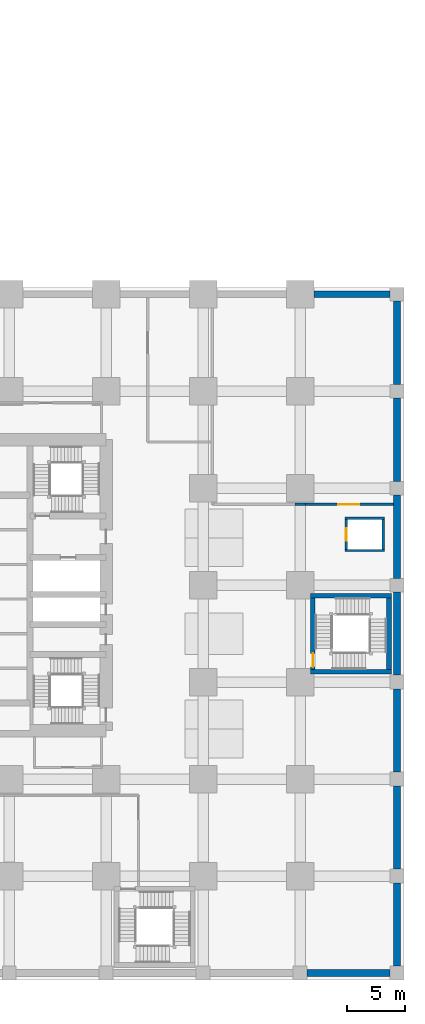
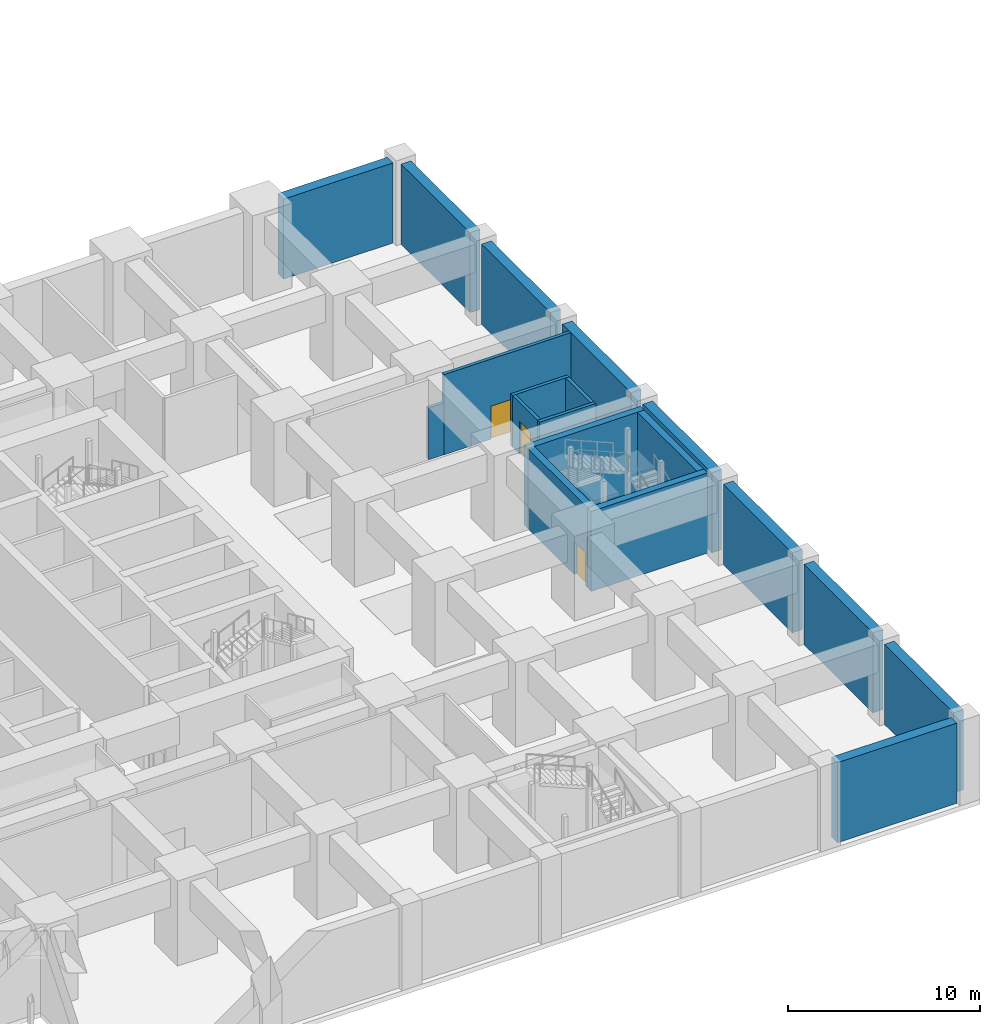
# One storey, part 9 of 20: 19 walls, 3 doors, 3 openings.
"""IFC4 building model written with IfcOpenShell, lengths in metres."""

from ifc_helpers import new_model, si_unit, direction, frame, frame_2d, origin, place, context, subcontext, project, spatial, rectangle, extrude, material, layer, layer_set, type_object, element, fill, save


model = new_model("IFC4")

# Units and contexts
model_context = context("Model", 3, precision=1e-05, world=origin(), true_north=direction((0.0, 1.0)))
body_context = subcontext(model_context, "Body", "Model", "MODEL_VIEW")
ifc_project = project(units=[si_unit("LENGTHUNIT", "METRE"), si_unit("AREAUNIT", "SQUARE_METRE"), si_unit("VOLUMEUNIT", "CUBIC_METRE"), si_unit("PLANEANGLEUNIT", "RADIAN"), si_unit("MASSUNIT", "GRAM", prefix="KILO")], contexts=[model_context])

# Site, building, storey
site_placement = place(None, origin())
site = spatial("IfcSite", under=ifc_project, at=site_placement, CompositionType="ELEMENT")
building_placement = place(site_placement, origin())
building = spatial("IfcBuilding", under=site, at=building_placement, Name="Rekha Terrace Tower", CompositionType="ELEMENT")
storey_placement = place(building_placement, frame((0.0, 0.0, -5.39990234375)))
storey = spatial("IfcBuildingStorey", under=building, at=storey_placement, Name="B-01", CompositionType="ELEMENT", Elevation=-5.39990234375)

# Walls
ifc_material_1 = material(Name="Concrete M40", Category="concrete")
ifc_layer_1 = layer(ifc_material_1, 0.60009765625)
ifc_layer_set_1 = layer_set([ifc_layer_1], Name="Concrete M40")
wall_type_1 = type_object("IfcWallType", Name="RW1 600 basement retaining wall", PredefinedType="SOLIDWALL", material=ifc_layer_set_1)
wall_1_placement = place(storey_placement, frame((67.800048828125, 0.0, 0.0), z_axis=(0.0, 0.0, 1.0), x_axis=(1.0, 0.0, 0.0)))
element("IfcWall", 1, at=wall_1_placement, inside=storey, type_object=wall_type_1, Name="Basement retaining wall RW1 9A-10A B-01", PredefinedType="SOLIDWALL", context=body_context, shape_type="SweptSolid", body=[
    extrude(rectangle(XDim=7.199951171875, YDim=0.60009765625, at=frame_2d((3.60009765625, 0.0))), origin(), (0.0, 0.0, 1.0), 5.099853515625),
])
wall_2_placement = place(storey_placement, frame((68.39990234375, 58.800048828125, 0.0), z_axis=(0.0, 0.0, 1.0), x_axis=(1.0, 0.0, 0.0)))
element("IfcWall", 2, at=wall_2_placement, inside=storey, type_object=wall_type_1, Name="Basement retaining wall RW1 9H-10H B-01", PredefinedType="SOLIDWALL", context=body_context, shape_type="SweptSolid", body=[
    extrude(rectangle(XDim=6.60009765625, YDim=0.60009765625, at=frame_2d((3.300048828125, 0.0))), origin(), (0.0, 0.0, 1.0), 5.099853515625),
])
for number, where, z_axis, x_axis, name in (
    (3, (75.60009765625, 0.60009765625, 0.0), (0.0, 0.0, 1.0), (0.0, 1.0, 0.0), "Basement retaining wall RW1 10A-10B B-01"),
    (4, (75.60009765625, 9.0, 0.0), (0.0, 0.0, 1.0), (0.0, 1.0, 0.0), "Basement retaining wall RW1 10B-10C B-01"),
):
    element("IfcWall", number, at=place(storey_placement, frame(where, z_axis=z_axis, x_axis=x_axis)), inside=storey, type_object=wall_type_1, Name=name, PredefinedType="SOLIDWALL", context=body_context, shape_type="SweptSolid", body=[
        extrude(rectangle(XDim=7.199951171875, YDim=0.60009765625, at=frame_2d((3.60009765625, 0.0))), origin(), (0.0, 0.0, 1.0), 5.099853515625),
    ])
wall_3_placement = place(storey_placement, frame((75.60009765625, 17.39990234375, 0.0), z_axis=(0.0, 0.0, 1.0), x_axis=(0.0, 1.0, 0.0)))
element("IfcWall", 5, at=wall_3_placement, inside=storey, type_object=wall_type_1, Name="Basement retaining wall RW1 10C-10D B-01", PredefinedType="SOLIDWALL", context=body_context, shape_type="SweptSolid", body=[
    extrude(rectangle(XDim=7.2001953125, YDim=0.60009765625, at=frame_2d((3.60009765625, 0.0))), origin(), (0.0, 0.0, 1.0), 5.099853515625),
])
for number, where, z_axis, x_axis, name in (
    (6, (75.60009765625, 25.800048828125, 0.0), (0.0, 0.0, 1.0), (0.0, 1.0, 0.0), "Basement retaining wall RW1 10D-10E B-01"),
    (7, (75.60009765625, 34.199951171875, 0.0), (0.0, 0.0, 1.0), (0.0, 1.0, 0.0), "Basement retaining wall RW1 10E-10F B-01"),
    (8, (75.60009765625, 42.60009765625, 0.0), (0.0, 0.0, 1.0), (0.0, 1.0, 0.0), "Basement retaining wall RW1 10F-10G B-01"),
    (9, (75.60009765625, 51.0, 0.0), (0.0, 0.0, 1.0), (0.0, 1.0, 0.0), "Basement retaining wall RW1 10G-10H B-01"),
):
    element("IfcWall", number, at=place(storey_placement, frame(where, z_axis=z_axis, x_axis=x_axis)), inside=storey, type_object=wall_type_1, Name=name, PredefinedType="SOLIDWALL", context=body_context, shape_type="SweptSolid", body=[
        extrude(rectangle(XDim=7.199951171875, YDim=0.60009765625, at=frame_2d((3.60009765625, 0.0))), origin(), (0.0, 0.0, 1.0), 5.099853515625),
    ])

# Wall, opening, door
ifc_material_2 = material(Name="Solid concrete block masonry, 2 hour", Category="masonry")
ifc_layer_2 = layer(ifc_material_2, 0.199951171875)
ifc_layer_set_2 = layer_set([ifc_layer_2], Name="Solid concrete block masonry, 2 hour")
wall_type_2 = type_object("IfcWallType", Name="WP1 200 plant room wall", PredefinedType="PARTITIONING", material=ifc_layer_set_2)
wall_4_placement = place(storey_placement, frame((75.300048828125, 40.60009765625, 0.0), z_axis=(0.0, 0.0, 1.0), x_axis=(-1.0, 0.0, 0.0)))
wall_4 = element("IfcWall", 10, at=wall_4_placement, inside=storey, type_object=wall_type_2, Name="Partition B-01-03", PredefinedType="PARTITIONING", context=body_context, shape_type="SweptSolid", body=[
    extrude(rectangle(XDim=7.64013671875, YDim=0.199951171875, at=frame_2d((3.820068359375, 0.0))), origin(), (0.0, 0.0, 1.0), 5.099853515625),
])
opening_1_placement = place(wall_4_placement, frame((2.9951171875, 0.0, 0.0)))
opening_1 = element("IfcOpeningElement", 11, at=opening_1_placement, cuts=wall_4, Name="Opening D6", PredefinedType="OPENING", context=body_context, shape_type="SweptSolid", body=[
    extrude(rectangle(XDim=1.800048828125, YDim=2.10009765625, at=frame_2d((0.89990234375, 1.050048828125))), frame((0.0, 0.10986328125, 0.0), z_axis=(0.0, -1.0, 0.0), x_axis=(1.0, 0.0, 0.0)), (0.0, 0.0, 1.0), 0.219970703125),
])
ifc_material_3 = material(Name="Steel fire door", Category="steel")
door_type_1 = type_object("IfcDoorType", Name="D6 1800x2100 plant room double door", OperationType="DOUBLE_DOOR_SINGLE_SWING", PredefinedType="DOOR", material=ifc_material_3)
door_1_placement = place(opening_1_placement, origin())
door_1 = element("IfcDoor", 12, at=door_1_placement, inside=storey, type_object=door_type_1, Name="Door loading bay B-01", OperationType="DOUBLE_DOOR_SINGLE_SWING", OverallHeight=2.10009765625, OverallWidth=1.800048828125, PredefinedType="DOOR", context=body_context, shape_type="SweptSolid", body=[
    extrude(rectangle(XDim=1.800048828125, YDim=2.10009765625, at=frame_2d((0.89990234375, 1.050048828125))), frame((0.0, 0.02490234375, 0.0), z_axis=(0.0, -1.0, 0.0), x_axis=(1.0, 0.0, 0.0)), (0.0, 0.0, 1.0), 0.050048828125),
])
fill(opening_1, door_1)

# Walls
wall_5_placement = place(storey_placement, frame((67.659912109375, 40.60009765625, 0.0), z_axis=(0.0, 0.0, 1.0), x_axis=(-1.0, 0.0, 0.0)))
element("IfcWall", 13, at=wall_5_placement, inside=storey, type_object=wall_type_2, Name="Partition B-01-03", PredefinedType="PARTITIONING", context=body_context, shape_type="SweptSolid", body=[
    extrude(rectangle(XDim=0.919921875, YDim=0.199951171875, at=frame_2d((0.4599609375, 0.0))), origin(), (0.0, 0.0, 1.0), 3.2998046875),
])
ifc_layer_3 = layer(ifc_material_2, 0.199951171875)
ifc_layer_set_3 = layer_set([ifc_layer_3], Name="Solid concrete block masonry, 2 hour")
wall_type_3 = type_object("IfcWallType", Name="WS1 200 stair and shaft enclosure", PredefinedType="PARTITIONING", material=ifc_layer_set_3)
for number, where, z_axis, x_axis, name in (
    (14, (71.10009765625, 36.60009765625, 0.0), (0.0, 0.0, 1.0), (1.0, 0.0, 0.0), "Lift PL2 shaft south wall"),
    (15, (71.10009765625, 39.39990234375, 0.0), (0.0, 0.0, 1.0), (1.0, 0.0, 0.0), "Lift PL2 shaft north wall"),
):
    element("IfcWall", number, at=place(storey_placement, frame(where, z_axis=z_axis, x_axis=x_axis)), inside=storey, type_object=wall_type_3, Name=name, PredefinedType="PARTITIONING", context=body_context, shape_type="SweptSolid", body=[
        extrude(rectangle(XDim=3.39990234375, YDim=0.199951171875, at=frame_2d((1.699951171875, 0.0))), origin(), (0.0, 0.0, 1.0), 3.2998046875),
    ])

# Wall, opening, door
wall_6_placement = place(storey_placement, frame((71.199951171875, 36.699951171875, 0.0), z_axis=(0.0, 0.0, 1.0), x_axis=(0.0, 1.0, 0.0)))
wall_6 = element("IfcWall", 16, at=wall_6_placement, inside=storey, type_object=wall_type_3, Name="Lift PL2 shaft west wall", PredefinedType="PARTITIONING", context=body_context, shape_type="SweptSolid", body=[
    extrude(rectangle(XDim=2.60009765625, YDim=0.199951171875, at=frame_2d((1.300048828125, 0.0))), origin(), (0.0, 0.0, 1.0), 3.2998046875),
])
opening_2_placement = place(wall_6_placement, frame((0.75, 0.0, 0.0)))
opening_2 = element("IfcOpeningElement", 17, at=opening_2_placement, cuts=wall_6, Name="Opening LD1", PredefinedType="OPENING", context=body_context, shape_type="SweptSolid", body=[
    extrude(rectangle(XDim=1.10009765625, YDim=2.10009765625, at=frame_2d((0.550048828125, 1.050048828125))), frame((0.0, 0.10986328125, 0.0), z_axis=(0.0, -1.0, 0.0), x_axis=(1.0, 0.0, 0.0)), (0.0, 0.0, 1.0), 0.219970703125),
])
ifc_material_4 = material(Name="Stainless steel sliding landing door", Category="steel")
door_type_2 = type_object("IfcDoorType", Name="LD1 1100x2100 lift landing door", OperationType="SLIDING_TO_LEFT", PredefinedType="USERDEFINED", material=ifc_material_4)
door_2_placement = place(opening_2_placement, origin())
door_2 = element("IfcDoor", 18, at=door_2_placement, inside=storey, type_object=door_type_2, Name="Lift PL2 landing door B-01", ObjectType="LIFT LANDING DOOR", OperationType="SLIDING_TO_LEFT", OverallHeight=2.10009765625, OverallWidth=1.10009765625, PredefinedType="USERDEFINED", context=body_context, shape_type="SweptSolid", body=[
    extrude(rectangle(XDim=1.10009765625, YDim=2.10009765625, at=frame_2d((0.550048828125, 1.050048828125))), frame((0.0, 0.02490234375, 0.0), z_axis=(0.0, -1.0, 0.0), x_axis=(1.0, 0.0, 0.0)), (0.0, 0.0, 1.0), 0.050048828125),
])
fill(opening_2, door_2)

# Walls
wall_7_placement = place(storey_placement, frame((74.39990234375, 36.699951171875, 0.0), z_axis=(0.0, 0.0, 1.0), x_axis=(0.0, 1.0, 0.0)))
element("IfcWall", 19, at=wall_7_placement, inside=storey, type_object=wall_type_3, Name="Lift PL2 shaft east wall", PredefinedType="PARTITIONING", context=body_context, shape_type="SweptSolid", body=[
    extrude(rectangle(XDim=2.60009765625, YDim=0.199951171875, at=frame_2d((1.300048828125, 0.0))), origin(), (0.0, 0.0, 1.0), 3.2998046875),
])
ifc_material_5 = material(Name="Concrete M60", Category="concrete")
ifc_layer_4 = layer(ifc_material_5, 0.39990234375)
ifc_layer_set_4 = layer_set([ifc_layer_4], Name="Concrete M60")
wall_type_4 = type_object("IfcWallType", Name="WS3 400 RC podium stair wall", PredefinedType="SOLIDWALL", material=ifc_layer_set_4)
for number, where, z_axis, x_axis, name in (
    (20, (68.10009765625, 26.10009765625, 0.0), (0.0, 0.0, 1.0), (1.0, 0.0, 0.0), "Stair SP2 south wall"),
    (21, (68.10009765625, 32.699951171875, 0.0), (0.0, 0.0, 1.0), (1.0, 0.0, 0.0), "Stair SP2 north wall"),
):
    element("IfcWall", number, at=place(storey_placement, frame(where, z_axis=z_axis, x_axis=x_axis)), inside=storey, type_object=wall_type_4, Name=name, PredefinedType="SOLIDWALL", context=body_context, shape_type="SweptSolid", body=[
        extrude(rectangle(XDim=7.0, YDim=0.39990234375, at=frame_2d((3.5, 0.0))), origin(), (0.0, 0.0, 1.0), 5.099853515625),
    ])

# Wall, opening, door
wall_8_placement = place(storey_placement, frame((68.300048828125, 26.300048828125, 0.0), z_axis=(0.0, 0.0, 1.0), x_axis=(0.0, 1.0, 0.0)))
wall_8 = element("IfcWall", 22, at=wall_8_placement, inside=storey, type_object=wall_type_4, Name="Stair SP2 west wall", PredefinedType="SOLIDWALL", context=body_context, shape_type="SweptSolid", body=[
    extrude(rectangle(XDim=6.199951171875, YDim=0.39990234375, at=frame_2d((3.10009765625, 0.0))), origin(), (0.0, 0.0, 1.0), 5.099853515625),
])
opening_3_placement = place(wall_8_placement, frame((0.199951171875, 0.0, 0.0)))
opening_3 = element("IfcOpeningElement", 23, at=opening_3_placement, cuts=wall_8, Name="Opening D1", PredefinedType="OPENING", context=body_context, shape_type="SweptSolid", body=[
    extrude(rectangle(XDim=1.199951171875, YDim=2.10009765625, at=frame_2d((0.60009765625, 1.050048828125))), frame((0.0, 0.2099609375, 0.0), z_axis=(0.0, -1.0, 0.0), x_axis=(1.0, 0.0, 0.0)), (0.0, 0.0, 1.0), 0.419921875),
])
door_type_3 = type_object("IfcDoorType", Name="D1 1200x2100 stair fire door", OperationType="SINGLE_SWING_RIGHT", PredefinedType="DOOR", material=ifc_material_3)
door_3_placement = place(opening_3_placement, origin())
door_3 = element("IfcDoor", 24, at=door_3_placement, inside=storey, type_object=door_type_3, Name="Stair SP2 door B-01", OperationType="SINGLE_SWING_RIGHT", OverallHeight=2.10009765625, OverallWidth=1.199951171875, PredefinedType="DOOR", context=body_context, shape_type="SweptSolid", body=[
    extrude(rectangle(XDim=1.199951171875, YDim=2.10009765625, at=frame_2d((0.60009765625, 1.050048828125))), frame((0.0, 0.02490234375, 0.0), z_axis=(0.0, -1.0, 0.0), x_axis=(1.0, 0.0, 0.0)), (0.0, 0.0, 1.0), 0.050048828125),
])
fill(opening_3, door_3)

# Wall
wall_9_placement = place(storey_placement, frame((74.89990234375, 26.300048828125, 0.0), z_axis=(0.0, 0.0, 1.0), x_axis=(0.0, 1.0, 0.0)))
element("IfcWall", 25, at=wall_9_placement, inside=storey, type_object=wall_type_4, Name="Stair SP2 east wall", PredefinedType="SOLIDWALL", context=body_context, shape_type="SweptSolid", body=[
    extrude(rectangle(XDim=6.199951171875, YDim=0.39990234375, at=frame_2d((3.10009765625, 0.0))), origin(), (0.0, 0.0, 1.0), 5.099853515625),
])

save(model, "model.ifc")
